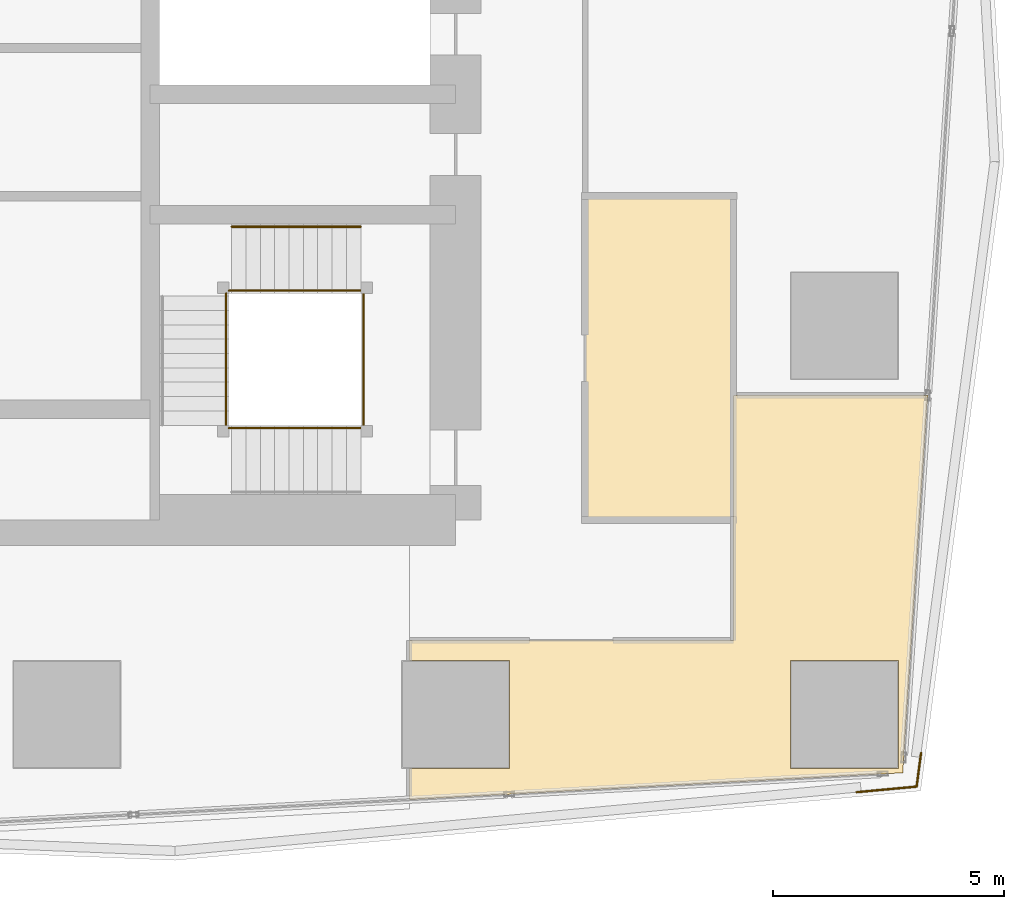
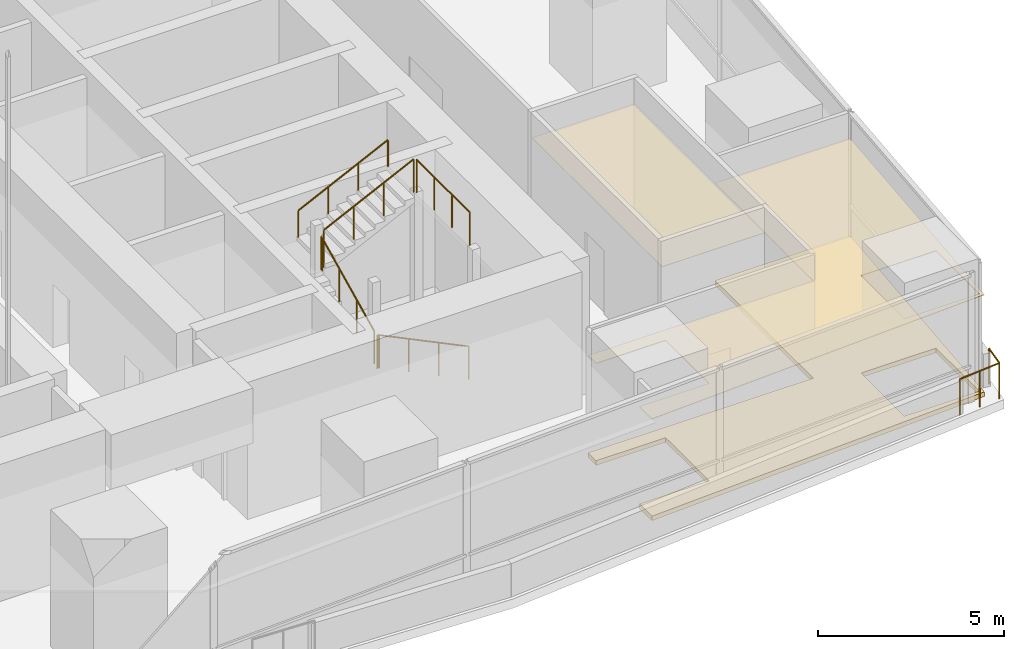
# One storey, part 24 of 39: 10 railings, 3 coverings.
"""IFC4 building model written with IfcOpenShell, lengths in metres."""

from ifc_helpers import new_model, si_unit, direction, frame, origin, origin_2d, place, context, subcontext, project, spatial, polyline, circle, outline, extrude, material, layer, layer_set, type_object, element, save


model = new_model("IFC4")

# Units and contexts
model_context = context("Model", 3, precision=1e-05, world=origin(), true_north=direction((0.0, 1.0)))
body_context = subcontext(model_context, "Body", "Model", "MODEL_VIEW")
ifc_project = project(units=[si_unit("LENGTHUNIT", "METRE"), si_unit("AREAUNIT", "SQUARE_METRE"), si_unit("VOLUMEUNIT", "CUBIC_METRE"), si_unit("PLANEANGLEUNIT", "RADIAN"), si_unit("MASSUNIT", "GRAM", prefix="KILO")], contexts=[model_context])

# Site, building, storey
site_placement = place(None, origin())
site = spatial("IfcSite", under=ifc_project, at=site_placement, CompositionType="ELEMENT")
building_placement = place(site_placement, origin())
building = spatial("IfcBuilding", under=site, at=building_placement, Name="Rekha Terrace Tower", CompositionType="ELEMENT")
storey_placement = place(building_placement, frame((0.0, 0.0, 245.60009765625)))
storey = spatial("IfcBuildingStorey", under=building, at=storey_placement, Name="L62", CompositionType="ELEMENT", Elevation=245.60009765625)

# Coverings
ifc_material_1 = material(Name="Mineral fibre tile in exposed grid", Category="finish")
ifc_layer_1 = layer(ifc_material_1, 0.02001953125)
ifc_layer_set_1 = layer_set([ifc_layer_1], Name="Mineral fibre tile in exposed grid")
covering_type_1 = type_object("IfcCoveringType", Name="CL1 600x1200 office grid ceiling", PredefinedType="CEILING", material=ifc_layer_set_1)
covering_1_placement = place(storey_placement, frame((0.0, 0.0, 3.329833984375)))
element("IfcCovering", 1, at=covering_1_placement, inside=storey, type_object=covering_type_1, Name="Ceiling L62-05", PredefinedType="CEILING", context=body_context, shape_type="SweptSolid", body=[
    extrude(outline(polyline([(56.39990234375, 23.693115234375), (56.39990234375, 18.39990234375), (49.39990234375, 18.39990234375), (49.39990234375, 17.965087890625), (51.56494140625, 17.965087890625), (51.56494140625, 15.635009765625), (49.39990234375, 15.635009765625), (49.39990234375, 14.958984375), (60.06201171875, 15.5400390625), (60.60400390625, 23.693115234375), (56.39990234375, 23.693115234375)]), holes=[polyline([(59.965087890625, 17.965087890625), (59.965087890625, 15.635009765625), (57.635009765625, 15.635009765625), (57.635009765625, 17.965087890625), (59.965087890625, 17.965087890625)])]), origin(), (0.0, 0.0, 1.0), 0.02001953125),
])
ifc_material_2 = material(Name="Fibre cement board", Category="finish")
ifc_layer_2 = layer(ifc_material_2, 0.014892578125)
ifc_layer_set_2 = layer_set([ifc_layer_2], Name="Fibre cement board")
covering_type_2 = type_object("IfcCoveringType", Name="CL2 moisture-resistant board ceiling", PredefinedType="CEILING", material=ifc_layer_set_2)
covering_2_placement = place(storey_placement, frame((0.0, 0.0, 3.3349609375)))
element("IfcCovering", 2, at=covering_2_placement, inside=storey, type_object=covering_type_2, Name="Ceiling L62-WCM2", PredefinedType="CEILING", context=body_context, shape_type="SweptSolid", body=[
    extrude(outline(polyline([(56.39990234375, 28.0), (53.199951171875, 28.0), (53.199951171875, 21.0), (56.39990234375, 21.0), (56.39990234375, 28.0)])), origin(), (0.0, 0.0, 1.0), 0.014892578125),
])

# Railings
ifc_material_3 = material(Name="Stainless steel balustrade", Category="steel")
railing_type_1 = type_object("IfcRailingType", Name="GR1 1100 stair guard", PredefinedType="GUARDRAIL", material=ifc_material_3)
railing_1_placement = place(storey_placement, frame((48.35009765625, 22.989990234375, 0.14990234375)))
element("IfcRailing", 3, at=railing_1_placement, inside=storey, type_object=railing_type_1, Name="Guard ST3 L62 flight 1", PredefinedType="GUARDRAIL", context=body_context, shape_type="SweptSolid", body=[
    extrude(circle(Radius=0.02392578125, at=origin_2d()), frame((0.0, 0.0, 1.076171875), z_axis=(-0.90014928908, 0.0, 0.43558151633), x_axis=(0.0, -1.0, 0.0)), (0.0, 0.0, 1.0), 3.099609375),
    extrude(circle(Radius=0.02099609375, at=origin_2d()), origin(), (0.0, 0.0, 1.0), 1.052001953125),
    extrude(circle(Radius=0.02099609375, at=origin_2d()), frame((-0.929931640625, 0.0, 0.449951171875)), (0.0, 0.0, 1.0), 1.052001953125),
    extrude(circle(Radius=0.02099609375, at=origin_2d()), frame((-1.860107421875, 0.0, 0.900146484375)), (0.0, 0.0, 1.0), 1.052001953125),
    extrude(circle(Radius=0.02099609375, at=origin_2d()), frame((-2.7900390625, 0.0, 1.35009765625)), (0.0, 0.0, 1.0), 1.052001953125),
])
railing_2_placement = place(storey_placement, frame((45.43994140625, 23.050048828125, 1.64990234375)))
element("IfcRailing", 4, at=railing_2_placement, inside=storey, type_object=railing_type_1, Name="Guard ST3 L62 flight 2", PredefinedType="GUARDRAIL", context=body_context, shape_type="SweptSolid", body=[
    extrude(circle(Radius=0.02392578125, at=origin_2d()), frame((0.0, 0.0, 1.076171875), z_axis=(0.0, 0.90014928908, 0.43558151633), x_axis=(-1.0, 0.0, 0.0)), (0.0, 0.0, 1.0), 3.099609375),
    extrude(circle(Radius=0.02099609375, at=origin_2d()), origin(), (0.0, 0.0, 1.0), 1.052001953125),
    extrude(circle(Radius=0.02099609375, at=origin_2d()), frame((0.0, 0.929931640625, 0.449951171875)), (0.0, 0.0, 1.0), 1.052001953125),
    extrude(circle(Radius=0.02099609375, at=origin_2d()), frame((0.0, 1.860107421875, 0.900146484375)), (0.0, 0.0, 1.0), 1.052001953125),
    extrude(circle(Radius=0.02099609375, at=origin_2d()), frame((0.0, 2.7900390625, 1.35009765625)), (0.0, 0.0, 1.0), 1.052001953125),
])
railing_3_placement = place(storey_placement, frame((45.56005859375, 25.9599609375, 3.14990234375)))
element("IfcRailing", 5, at=railing_3_placement, inside=storey, type_object=railing_type_1, Name="Guard ST3 L62 flight 3", PredefinedType="GUARDRAIL", context=body_context, shape_type="SweptSolid", body=[
    extrude(circle(Radius=0.02392578125, at=origin_2d()), frame((0.0, 0.0, 1.076171875), z_axis=(0.90014928908, 0.0, 0.43558151633), x_axis=(0.0, 1.0, 0.0)), (0.0, 0.0, 1.0), 3.099609375),
    extrude(circle(Radius=0.02099609375, at=origin_2d()), origin(), (0.0, 0.0, 1.0), 1.052001953125),
    extrude(circle(Radius=0.02099609375, at=origin_2d()), frame((0.929931640625, 0.0, 0.449951171875)), (0.0, 0.0, 1.0), 1.052001953125),
    extrude(circle(Radius=0.02099609375, at=origin_2d()), frame((1.860107421875, 0.0, 0.900146484375)), (0.0, 0.0, 1.0), 1.052001953125),
    extrude(circle(Radius=0.02099609375, at=origin_2d()), frame((2.7900390625, 0.0, 1.35009765625)), (0.0, 0.0, 1.0), 1.052001953125),
])
railing_4_placement = place(storey_placement, frame((45.56005859375, 22.989990234375, 1.5)))
element("IfcRailing", 6, at=railing_4_placement, inside=storey, type_object=railing_type_1, Name="Guard ST3 L62 landing 1", PredefinedType="GUARDRAIL", context=body_context, shape_type="SweptSolid", body=[
    extrude(circle(Radius=0.02392578125, at=origin_2d()), frame((0.0, 0.0, 1.076171875), z_axis=(-1.0, 0.0, 0.0), x_axis=(0.0, -1.0, 0.0)), (0.0, 0.0, 1.0), 0.06005859375),
    extrude(circle(Radius=0.02099609375, at=origin_2d()), origin(), (0.0, 0.0, 1.0), 1.052001953125),
    extrude(circle(Radius=0.02099609375, at=origin_2d()), frame((-0.06005859375, 0.0, 0.0)), (0.0, 0.0, 1.0), 1.052001953125),
])
railing_5_placement = place(storey_placement, frame((45.43994140625, 25.840087890625, 3.0)))
element("IfcRailing", 7, at=railing_5_placement, inside=storey, type_object=railing_type_1, Name="Guard ST3 L62 landing 2", PredefinedType="GUARDRAIL", context=body_context, shape_type="SweptSolid", body=[
    extrude(circle(Radius=0.02392578125, at=origin_2d()), frame((0.0, 0.0, 1.076171875), z_axis=(0.0, 1.0, 0.0), x_axis=(-1.0, 0.0, 0.0)), (0.0, 0.0, 1.0), 0.059814453125),
    extrude(circle(Radius=0.02099609375, at=origin_2d()), origin(), (0.0, 0.0, 1.0), 1.052001953125),
    extrude(circle(Radius=0.02099609375, at=origin_2d()), frame((0.0, 0.059814453125, 0.0)), (0.0, 0.0, 1.0), 1.052001953125),
])
railing_6_placement = place(storey_placement, frame((45.56005859375, 25.9599609375, 3.0)))
element("IfcRailing", 8, at=railing_6_placement, inside=storey, type_object=railing_type_1, Name="Guard ST3 L62 landing 3", PredefinedType="GUARDRAIL", context=body_context, shape_type="SweptSolid", body=[
    extrude(circle(Radius=0.02392578125, at=origin_2d()), frame((0.0, 0.0, 1.076171875), z_axis=(-1.0, 0.0, 0.0), x_axis=(0.0, -1.0, 0.0)), (0.0, 0.0, 1.0), 0.06005859375),
    extrude(circle(Radius=0.02099609375, at=origin_2d()), origin(), (0.0, 0.0, 1.0), 1.052001953125),
    extrude(circle(Radius=0.02099609375, at=origin_2d()), frame((-0.06005859375, 0.0, 0.0)), (0.0, 0.0, 1.0), 1.052001953125),
])
railing_7_placement = place(storey_placement, frame((48.409912109375, 23.050048828125, 4.5)))
element("IfcRailing", 9, at=railing_7_placement, inside=storey, type_object=railing_type_1, Name="Guard ST3 L62 landing 4", PredefinedType="GUARDRAIL", context=body_context, shape_type="SweptSolid", body=[
    extrude(circle(Radius=0.02392578125, at=origin_2d()), frame((0.0, 0.0, 1.076171875), z_axis=(0.0, 1.0, 0.0), x_axis=(-1.0, 0.0, 0.0)), (0.0, 0.0, 1.0), 2.849853515625),
    extrude(circle(Radius=0.02099609375, at=origin_2d()), origin(), (0.0, 0.0, 1.0), 1.052001953125),
    extrude(circle(Radius=0.02099609375, at=origin_2d()), frame((0.0, 0.949951171875, 0.0)), (0.0, 0.0, 1.0), 1.052001953125),
    extrude(circle(Radius=0.02099609375, at=origin_2d()), frame((0.0, 1.89990234375, 0.0)), (0.0, 0.0, 1.0), 1.052001953125),
    extrude(circle(Radius=0.02099609375, at=origin_2d()), frame((0.0, 2.849853515625, 0.0)), (0.0, 0.0, 1.0), 1.052001953125),
])
ifc_material_4 = material(Name="Steel guard with vertical balusters", Category="steel")
railing_type_2 = type_object("IfcRailingType", Name="GR2 refuge area guard 1200", PredefinedType="GUARDRAIL", material=ifc_material_4)
railing_8_placement = place(storey_placement, frame((59.064208984375, 15.121337890625, 0.0)))
element("IfcRailing", 10, at=railing_8_placement, inside=storey, type_object=railing_type_2, Name="Ledge corner guard", PredefinedType="GUARDRAIL", context=body_context, shape_type="SweptSolid", body=[
    extrude(circle(Radius=0.02392578125, at=origin_2d()), frame((0.0, 0.0, 1.17578125), z_axis=(0.99568794166, 0.092765957297, 0.0), x_axis=(-0.092765957297, 0.99568794166, 0.0)), (0.0, 0.0, 1.0), 1.302734375),
    extrude(circle(Radius=0.02099609375, at=origin_2d()), origin(), (0.0, 0.0, 1.0), 1.15185546875),
    extrude(circle(Radius=0.02099609375, at=origin_2d()), frame((0.6484375, 0.060546875, 0.0)), (0.0, 0.0, 1.0), 1.15185546875),
    extrude(circle(Radius=0.02099609375, at=origin_2d()), frame((1.297119140625, 0.120849609375, 0.0)), (0.0, 0.0, 1.0), 1.15185546875),
])
railing_9_placement = place(storey_placement, frame((60.361328125, 15.2421875, 0.0)))
element("IfcRailing", 11, at=railing_9_placement, inside=storey, type_object=railing_type_2, Name="Ledge corner guard", PredefinedType="GUARDRAIL", context=body_context, shape_type="SweptSolid", body=[
    extrude(circle(Radius=0.02392578125, at=origin_2d()), frame((0.0, 0.0, 1.17578125), z_axis=(0.131338140094, 0.991337628135, 0.0), x_axis=(-0.991337628135, 0.131338140094, 0.0)), (0.0, 0.0, 1.0), 0.736083984375),
    extrude(circle(Radius=0.02099609375, at=origin_2d()), origin(), (0.0, 0.0, 1.0), 1.15185546875),
    extrude(circle(Radius=0.02099609375, at=origin_2d()), frame((0.0966796875, 0.729736328125, 0.0)), (0.0, 0.0, 1.0), 1.15185546875),
])
ifc_material_5 = material(Name="Stainless steel tube", Category="steel")
railing_type_3 = type_object("IfcRailingType", Name="HR1 900 stair handrail", PredefinedType="HANDRAIL", material=ifc_material_5)
railing_10_placement = place(storey_placement, frame((45.56005859375, 27.340087890625, 3.14990234375)))
element("IfcRailing", 12, at=railing_10_placement, inside=storey, type_object=railing_type_3, Name="Handrail ST3 L62 flight 3", PredefinedType="HANDRAIL", context=body_context, shape_type="SweptSolid", body=[
    extrude(circle(Radius=0.02392578125, at=origin_2d()), frame((0.0, 0.0, 0.8759765625), z_axis=(0.90014928908, 0.0, 0.43558151633), x_axis=(0.0, 1.0, 0.0)), (0.0, 0.0, 1.0), 3.099609375),
    extrude(circle(Radius=0.02099609375, at=origin_2d()), origin(), (0.0, 0.0, 1.0), 0.851806640625),
    extrude(circle(Radius=0.02099609375, at=origin_2d()), frame((0.929931640625, 0.0, 0.449951171875)), (0.0, 0.0, 1.0), 0.851806640625),
    extrude(circle(Radius=0.02099609375, at=origin_2d()), frame((1.860107421875, 0.0, 0.900146484375)), (0.0, 0.0, 1.0), 0.851806640625),
    extrude(circle(Radius=0.02099609375, at=origin_2d()), frame((2.7900390625, 0.0, 1.35009765625)), (0.0, 0.0, 1.0), 0.851806640625),
])

# Covering
ifc_material_6 = material(Name="Calcium sulphate panels on steel pedestals", Category="steel")
ifc_layer_3 = layer(ifc_material_6, 0.14990234375)
ifc_layer_set_3 = layer_set([ifc_layer_3], Name="Calcium sulphate panels on steel pedestals")
covering_type_3 = type_object("IfcCoveringType", Name="RF1 150 raised access floor", PredefinedType="FLOORING", material=ifc_layer_set_3)
covering_3_placement = place(storey_placement, origin())
element("IfcCovering", 13, at=covering_3_placement, inside=storey, type_object=covering_type_3, Name="Raised floor L62-05", PredefinedType="FLOORING", context=body_context, shape_type="SweptSolid", body=[
    extrude(outline(polyline([(56.39990234375, 23.693115234375), (56.39990234375, 18.39990234375), (49.39990234375, 18.39990234375), (49.39990234375, 17.965087890625), (51.56494140625, 17.965087890625), (51.56494140625, 15.635009765625), (49.39990234375, 15.635009765625), (49.39990234375, 14.958984375), (60.06201171875, 15.5400390625), (60.60400390625, 23.693115234375), (56.39990234375, 23.693115234375)]), holes=[polyline([(59.965087890625, 17.965087890625), (59.965087890625, 15.635009765625), (57.635009765625, 15.635009765625), (57.635009765625, 17.965087890625), (59.965087890625, 17.965087890625)])]), origin(), (0.0, 0.0, 1.0), 0.14990234375),
])

save(model, "model.ifc")
